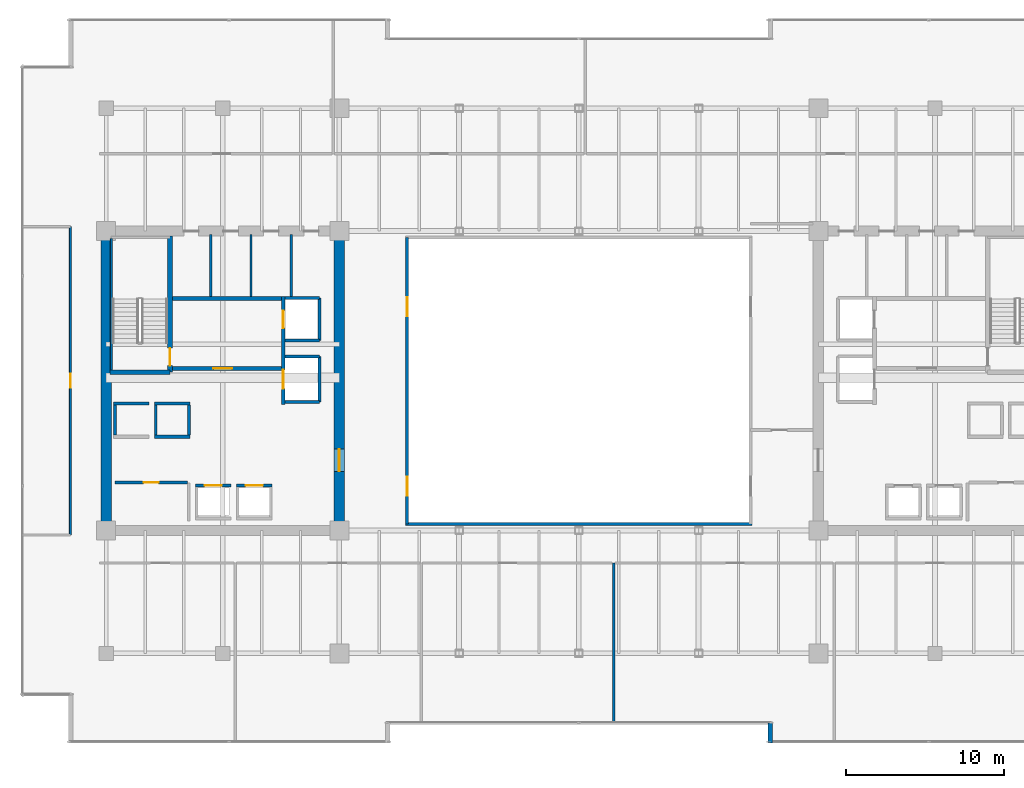
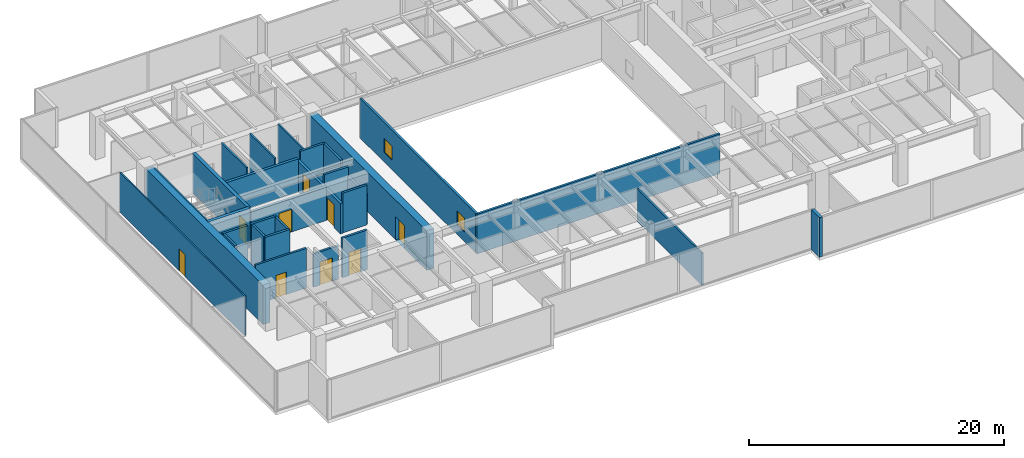
# One storey, part 25 of 30: 31 walls, 9 doors, 2 windows, 11 openings.
"""IFC4 building model written with IfcOpenShell, lengths in metres."""

from ifc_helpers import new_model, si_unit, direction, frame, frame_2d, origin, place, context, subcontext, project, spatial, rectangle, extrude, source, transform, mapped, material, layer, layer_set, type_object, type_shapes, element, fill, save


model = new_model("IFC4")

# Units and contexts
model_context = context("Model", 3, precision=1e-05, world=origin(), true_north=direction((0.0, 1.0)))
body_context = subcontext(model_context, "Body", "Model", "MODEL_VIEW")
ifc_project = project(units=[si_unit("LENGTHUNIT", "METRE"), si_unit("AREAUNIT", "SQUARE_METRE"), si_unit("VOLUMEUNIT", "CUBIC_METRE"), si_unit("PLANEANGLEUNIT", "RADIAN"), si_unit("MASSUNIT", "GRAM", prefix="KILO")], contexts=[model_context])

# Site, building, storey
site_placement = place(None, origin())
site = spatial("IfcSite", under=ifc_project, at=site_placement, CompositionType="ELEMENT")
building_placement = place(site_placement, origin())
building = spatial("IfcBuilding", under=site, at=building_placement, Name="Haelvirn Gate Laboratories", CompositionType="ELEMENT")
storey_placement = place(building_placement, frame((0.0, 0.0, 187.10009765625)))
storey = spatial("IfcBuildingStorey", under=building, at=storey_placement, Name="L45", CompositionType="ELEMENT", Elevation=187.10009765625)

# Walls
ifc_material_1 = material(Name="Thermally-broken bronze aluminium rainscreen & mineral wool", Category="aluminium")
ifc_layer_1 = layer(ifc_material_1, 0.280029296875, Name="EW-TERR-280")
ifc_layer_set_1 = layer_set([ifc_layer_1], Name="Thermally-broken bronze aluminium rainscreen & mineral wool")
wall_type_1 = type_object("IfcWallType", Name="EW-TERR-280", PredefinedType="STANDARD", material=ifc_layer_set_1)
wall_1_placement = place(storey_placement, frame((49.5400390625, 2.587890625, 0.0), z_axis=(0.0, 0.0, 1.0), x_axis=(0.0, -1.0, 0.0)))
element("IfcWall", 1, at=wall_1_placement, inside=storey, type_object=wall_type_1, Name="L45 Atrium Recess Bronze Return Wall 03", PredefinedType="STANDARD", context=body_context, shape_type="SweptSolid", body=[
    extrude(rectangle(XDim=1.287841796875, YDim=0.280029296875, at=frame_2d((0.64404296875, 0.0))), origin(), (0.0, 0.0, 1.0), 3.789794921875),
])
ifc_material_2 = material(Name="Double-layer acoustic gypsum laboratory partition", Category="gypsum")
ifc_layer_2 = layer(ifc_material_2, 0.159912109375, Name="IW-ACOUST-160")
ifc_layer_set_2 = layer_set([ifc_layer_2], Name="Double-layer acoustic gypsum laboratory partition")
wall_type_2 = type_object("IfcWallType", Name="IW-ACOUST-160", PredefinedType="PARTITIONING", material=ifc_layer_set_2)
wall_2_placement = place(storey_placement, frame((39.60009765625, 2.610107421875, 0.0), z_axis=(0.0, 0.0, 1.0), x_axis=(0.0, 1.0, 0.0)))
element("IfcWall", 2, at=wall_2_placement, inside=storey, type_object=wall_type_2, Name="L45 Interior Wall IW-L45-SDIV-03", PredefinedType="PARTITIONING", context=body_context, shape_type="SweptSolid", body=[
    extrude(rectangle(XDim=10.1298828125, YDim=0.159912109375, at=frame_2d((5.06494140625, 0.0))), origin(), (0.0, 0.0, 1.0), 3.074951171875),
])

# Wall, openings, windows
ifc_material_3 = material(Name="Tempered fire-rated borosilicate glass & anodised aluminium", Category="aluminium")
ifc_layer_3 = layer(ifc_material_3, 0.195068359375, Name="IW-GLAZ-200")
ifc_layer_set_3 = layer_set([ifc_layer_3], Name="Tempered fire-rated borosilicate glass & anodised aluminium")
wall_type_3 = type_object("IfcWallType", Name="IW-GLAZ-200", PredefinedType="SOLIDWALL", material=ifc_layer_set_3)
wall_3_placement = place(storey_placement, frame((26.5, 15.199951171875, 0.0), z_axis=(0.0, 0.0, 1.0), x_axis=(0.0, 1.0, 0.0)))
wall_3 = element("IfcWall", 3, at=wall_3_placement, inside=storey, type_object=wall_type_3, Name="L45 Interior Wall IW-L45-ATRIUM-W", PredefinedType="SOLIDWALL", context=body_context, shape_type="SweptSolid", body=[
    extrude(rectangle(XDim=18.199951171875, YDim=0.195068359375, at=frame_2d((9.10009765625, 0.0))), origin(), (0.0, 0.0, 1.0), 3.789794921875),
])
opening_1_placement = place(wall_3_placement, frame((1.800048828125, 0.0, 0.89990234375)))
opening_1 = element("IfcOpeningElement", 4, at=opening_1_placement, cuts=wall_3, Name="Opening W6", PredefinedType="OPENING", context=body_context, shape_type="SweptSolid", body=[
    extrude(rectangle(XDim=1.199951171875, YDim=1.35009765625, at=frame_2d((0.60009765625, 0.675048828125))), frame((0.0, 0.107421875, 0.0), z_axis=(0.0, -1.0, 0.0), x_axis=(1.0, 0.0, 0.0)), (0.0, 0.0, 1.0), 0.215087890625),
])
opening_2_placement = place(wall_3_placement, frame((13.199951171875, 0.0, 0.89990234375)))
opening_2 = element("IfcOpeningElement", 5, at=opening_2_placement, cuts=wall_3, Name="Opening W6", PredefinedType="OPENING", context=body_context, shape_type="SweptSolid", body=[
    extrude(rectangle(XDim=1.199951171875, YDim=1.35009765625, at=frame_2d((0.60009765625, 0.675048828125))), frame((0.0, 0.107421875, 0.0), z_axis=(0.0, -1.0, 0.0), x_axis=(1.0, 0.0, 0.0)), (0.0, 0.0, 1.0), 0.215087890625),
])
ifc_material_4 = material(Name="Fire-rated EI 120 borosilicate atrium vision glazing", Category="glass")
window_type = type_object("IfcWindowType", Name="WN-ATR-1200", PartitioningType="SINGLE_PANEL", PredefinedType="WINDOW", material=ifc_material_4)
shared_shape_1 = source(origin(), body_context, "Body", "SweptSolid", [
    extrude(rectangle(XDim=1.199951171875, YDim=1.35009765625, at=frame_2d((0.60009765625, 0.675048828125))), frame((0.0, 0.030029296875, 0.0), z_axis=(0.0, -1.0, 0.0), x_axis=(1.0, 0.0, 0.0)), (0.0, 0.0, 1.0), 0.06005859375),
])
type_shapes(window_type, [shared_shape_1])
window_1_placement = place(opening_1_placement, origin())
window_1 = element("IfcWindow", 6, at=window_1_placement, inside=storey, type_object=window_type, Name="L45 Atrium Observation Window 1", OverallHeight=1.35009765625, OverallWidth=1.199951171875, PartitioningType="SINGLE_PANEL", PredefinedType="WINDOW", context=body_context, shape_type="MappedRepresentation", body=[
    mapped(shared_shape_1, transform((0.0, 0.0, 0.0), scale=1.0)),
])
fill(opening_1, window_1)
window_2_placement = place(opening_2_placement, origin())
window_2 = element("IfcWindow", 7, at=window_2_placement, inside=storey, type_object=window_type, Name="L45 Atrium Observation Window 2", OverallHeight=1.35009765625, OverallWidth=1.199951171875, PartitioningType="SINGLE_PANEL", PredefinedType="WINDOW", context=body_context, shape_type="MappedRepresentation", body=[
    mapped(shared_shape_1, transform((0.0, 0.0, 0.0), scale=1.0)),
])
fill(opening_2, window_2)

# Wall
wall_4_placement = place(storey_placement, frame((26.39990234375, 15.199951171875, 0.0), z_axis=(0.0, 0.0, 1.0), x_axis=(1.0, 0.0, 0.0)))
element("IfcWall", 8, at=wall_4_placement, inside=storey, type_object=wall_type_3, Name="L45 Interior Wall IW-L45-ATRIUM-S", PredefinedType="SOLIDWALL", context=body_context, shape_type="SweptSolid", body=[
    extrude(rectangle(XDim=22.0, YDim=0.195068359375, at=frame_2d((11.0, 0.0))), origin(), (0.0, 0.0, 1.0), 3.789794921875),
])

# Wall, opening, door
ifc_material_5 = material(Name="Lightweight acoustic gypsum board partition", Category="gypsum")
ifc_layer_4 = layer(ifc_material_5, 0.1201171875, Name="IW-PART-120")
ifc_layer_set_4 = layer_set([ifc_layer_4], Name="Lightweight acoustic gypsum board partition")
wall_type_4 = type_object("IfcWallType", Name="IW-PART-120", PredefinedType="PARTITIONING", material=ifc_layer_set_4)
wall_5_placement = place(storey_placement, frame((5.1298828125, 14.514892578125, 0.0), z_axis=(0.0, 0.0, 1.0), x_axis=(0.0, 1.0, 0.0)))
wall_5 = element("IfcWall", 9, at=wall_5_placement, inside=storey, type_object=wall_type_4, Name="L45 Interior Wall IW-L45-WPASS-01", PredefinedType="PARTITIONING", context=body_context, shape_type="SweptSolid", body=[
    extrude(rectangle(XDim=19.570068359375, YDim=0.1201171875, at=frame_2d((9.78515625, 0.0))), origin(), (0.0, 0.0, 1.0), 3.789794921875),
])
opening_3_placement = place(wall_5_placement, frame((9.3349609375, 0.0, 0.0)))
opening_3 = element("IfcOpeningElement", 10, at=opening_3_placement, cuts=wall_5, Name="Opening D4", PredefinedType="OPENING", context=body_context, shape_type="SweptSolid", body=[
    extrude(rectangle(XDim=0.89990234375, YDim=2.10009765625, at=frame_2d((0.449951171875, 1.050048828125))), frame((0.0, 0.070068359375, 0.0), z_axis=(0.0, -1.0, 0.0), x_axis=(1.0, 0.0, 0.0)), (0.0, 0.0, 1.0), 0.14013671875),
])
ifc_material_6 = material(Name="Glazed aluminium-framed write-up door", Category="aluminium")
door_type_1 = type_object("IfcDoorType", Name="DR-OFF-900", OperationType="NOTDEFINED", PredefinedType="DOOR", material=ifc_material_6)
shared_shape_2 = source(origin(), body_context, "Body", "SweptSolid", [
    extrude(rectangle(XDim=0.89990234375, YDim=2.10009765625, at=frame_2d((0.449951171875, 1.050048828125))), frame((0.0, 0.02490234375, 0.0), z_axis=(0.0, -1.0, 0.0), x_axis=(1.0, 0.0, 0.0)), (0.0, 0.0, 1.0), 0.050048828125),
])
type_shapes(door_type_1, [shared_shape_2])
door_1_placement = place(opening_3_placement, origin())
door_1 = element("IfcDoor", 11, at=door_1_placement, inside=storey, type_object=door_type_1, Name="L45 Protocol Briefing Training Room Door W1", OperationType="SINGLE_SWING_LEFT", OverallHeight=2.10009765625, OverallWidth=0.89990234375, PredefinedType="DOOR", context=body_context, shape_type="MappedRepresentation", body=[
    mapped(shared_shape_2, transform((0.0, 0.0, 0.0), scale=1.0)),
])
fill(opening_3, door_1)

# Walls
ifc_material_7 = material(Name="Cement-board restroom plumbing chase wall", Category="gypsum")
ifc_layer_5 = layer(ifc_material_7, 0.155029296875, Name="IW-PLUMB-160")
ifc_layer_set_5 = layer_set([ifc_layer_5], Name="Cement-board restroom plumbing chase wall")
wall_type_5 = type_object("IfcWallType", Name="IW-PLUMB-160", PredefinedType="PLUMBINGWALL", material=ifc_layer_set_5)
for number, where, z_axis, x_axis, name in (
    (12, (14.0400390625, 29.64990234375, 0.0), (0.0, 0.0, 1.0), (0.0, 1.0, 0.0), "L45 Interior Wall IW-L45-W-CDIV-1"),
    (13, (16.590087890625, 29.64990234375, 0.0), (0.0, 0.0, 1.0), (0.0, 1.0, 0.0), "L45 Interior Wall IW-L45-W-CDIV-2"),
    (14, (19.139892578125, 29.64990234375, 0.0), (0.0, 0.0, 1.0), (0.0, 1.0, 0.0), "L45 Interior Wall IW-L45-W-CDIV-3"),
):
    element("IfcWall", number, at=place(storey_placement, frame(where, z_axis=z_axis, x_axis=x_axis)), inside=storey, type_object=wall_type_5, Name=name, PredefinedType="PLUMBINGWALL", context=body_context, shape_type="SweptSolid", body=[
        extrude(rectangle(XDim=3.93017578125, YDim=0.155029296875, at=frame_2d((1.965087890625, 0.0))), origin(), (0.0, 0.0, 1.0), 3.789794921875),
    ])
ifc_material_8 = material(Name="Concrete C40/50", Category="concrete")
ifc_layer_6 = layer(ifc_material_8, 0.179931640625, Name="IW-SHAFT-180")
ifc_layer_set_6 = layer_set([ifc_layer_6], Name="Concrete C40/50")
wall_type_6 = type_object("IfcWallType", Name="IW-SHAFT-180", PredefinedType="SOLIDWALL", material=ifc_layer_set_6)
for number, where, z_axis, x_axis, name in (
    (15, (7.949951171875, 20.85009765625, 0.0), (0.0, 0.0, 1.0), (0.0, 1.0, 0.0), "L45 Interior Wall IW-L45-PL9-SD"),
    (16, (10.550048828125, 20.85009765625, 0.0), (0.0, 0.0, 1.0), (0.0, 1.0, 0.0), "L45 Interior Wall IW-L45-PL10-SD"),
    (17, (12.64990234375, 20.85009765625, 0.0), (0.0, 0.0, 1.0), (0.0, 1.0, 0.0), "L45 Interior Wall IW-L45-PL10-SDE"),
):
    element("IfcWall", number, at=place(storey_placement, frame(where, z_axis=z_axis, x_axis=x_axis)), inside=storey, type_object=wall_type_6, Name=name, PredefinedType="SOLIDWALL", context=body_context, shape_type="SweptSolid", body=[
        extrude(rectangle(XDim=1.89990234375, YDim=0.179931640625, at=frame_2d((0.949951171875, 0.0))), origin(), (0.0, 0.0, 1.0), 3.789794921875),
    ])

# Wall, opening, door
wall_6_placement = place(storey_placement, frame((7.949951171875, 17.85009765625, 0.0), z_axis=(0.0, 0.0, 1.0), x_axis=(1.0, 0.0, 0.0)))
wall_6 = element("IfcWall", 18, at=wall_6_placement, inside=storey, type_object=wall_type_6, Name="L45 Interior Wall IW-L45-W-FREED-LN-1", PredefinedType="SOLIDWALL", context=body_context, shape_type="SweptSolid", body=[
    extrude(rectangle(XDim=4.60009765625, YDim=0.179931640625, at=frame_2d((2.300048828125, 0.0))), origin(), (0.0, 0.0, 1.0), 3.789794921875),
])
opening_4_placement = place(wall_6_placement, frame((1.824951171875, 0.0, 0.0)))
opening_4 = element("IfcOpeningElement", 19, at=opening_4_placement, cuts=wall_6, Name="Opening FD4", PredefinedType="OPENING", context=body_context, shape_type="SweptSolid", body=[
    extrude(rectangle(XDim=0.949951171875, YDim=2.14990234375, at=frame_2d((0.47509765625, 1.074951171875))), frame((0.0, 0.10009765625, 0.0), z_axis=(0.0, -1.0, 0.0), x_axis=(1.0, 0.0, 0.0)), (0.0, 0.0, 1.0), 0.199951171875),
])
ifc_material_9 = material(Name="Fire-rated steel SM355 core service door", Category="steel")
door_type_2 = type_object("IfcDoorType", Name="DR-FD-950", OperationType="NOTDEFINED", PredefinedType="DOOR", material=ifc_material_9)
shared_shape_3 = source(origin(), body_context, "Body", "SweptSolid", [
    extrude(rectangle(XDim=0.949951171875, YDim=2.14990234375, at=frame_2d((0.47509765625, 1.074951171875))), frame((0.0, 0.02490234375, 0.0), z_axis=(0.0, -1.0, 0.0), x_axis=(1.0, 0.0, 0.0)), (0.0, 0.0, 1.0), 0.050048828125),
])
type_shapes(door_type_2, [shared_shape_3])
door_2_placement = place(opening_4_placement, origin())
door_2 = element("IfcDoor", 20, at=door_2_placement, inside=storey, type_object=door_type_2, Name="L45 Autoclave & Glasswash Room Door", OperationType="SINGLE_SWING_LEFT", OverallHeight=2.14990234375, OverallWidth=0.949951171875, PredefinedType="DOOR", context=body_context, shape_type="MappedRepresentation", body=[
    mapped(shared_shape_3, transform((0.0, 0.0, 0.0), scale=1.0)),
])
fill(opening_4, door_2)

ifc_layer_7 = layer(ifc_material_8, 0.199951171875, Name="IW-SHAFT-200")
ifc_layer_set_7 = layer_set([ifc_layer_7], Name="Concrete C40/50")
wall_type_7 = type_object("IfcWallType", Name="IW-SHAFT-200", PredefinedType="SOLIDWALL", material=ifc_layer_set_7)
wall_7_placement = place(storey_placement, frame((13.070068359375, 17.64990234375, 0.0), z_axis=(0.0, 0.0, 1.0), x_axis=(1.0, 0.0, 0.0)))
wall_7 = element("IfcWall", 21, at=wall_7_placement, inside=storey, type_object=wall_type_7, Name="L45 Interior Wall IW-L45-PL5-FR", PredefinedType="SOLIDWALL", context=body_context, shape_type="SweptSolid", body=[
    extrude(rectangle(XDim=2.260009765625, YDim=0.199951171875, at=frame_2d((1.1298828125, 0.0))), origin(), (0.0, 0.0, 1.0), 3.18701171875),
])
opening_5_placement = place(wall_7_placement, frame((0.580078125, 0.0, 0.0)))
opening_5 = element("IfcOpeningElement", 22, at=opening_5_placement, cuts=wall_7, Name="Opening LD2", PredefinedType="OPENING", context=body_context, shape_type="SweptSolid", body=[
    extrude(rectangle(XDim=1.10009765625, YDim=2.219970703125, at=frame_2d((0.550048828125, 1.10986328125))), frame((0.0, 0.10986328125, 0.0), z_axis=(0.0, -1.0, 0.0), x_axis=(1.0, 0.0, 0.0)), (0.0, 0.0, 1.0), 0.219970703125),
])
ifc_material_10 = material(Name="Bronze stainless 316L sliding lift landing door")
door_type_3 = type_object("IfcDoorType", Name="DR-LD-1100", OperationType="NOTDEFINED", PredefinedType="USERDEFINED", material=ifc_material_10)
shared_shape_4 = source(origin(), body_context, "Body", "SweptSolid", [
    extrude(rectangle(XDim=1.10009765625, YDim=2.219970703125, at=frame_2d((0.550048828125, 1.10986328125))), frame((0.0, 0.02490234375, 0.0), z_axis=(0.0, -1.0, 0.0), x_axis=(1.0, 0.0, 0.0)), (0.0, 0.0, 1.0), 0.050048828125),
])
type_shapes(door_type_3, [shared_shape_4])
door_3_placement = place(opening_5_placement, origin())
door_3 = element("IfcDoor", 23, at=door_3_placement, inside=storey, type_object=door_type_3, Name="L45 Passenger Lift PL5 Landing Door", ObjectType="LANDING_DOOR", OperationType="SLIDING_TO_LEFT", OverallHeight=2.219970703125, OverallWidth=1.10009765625, PredefinedType="USERDEFINED", context=body_context, shape_type="MappedRepresentation", body=[
    mapped(shared_shape_4, transform((0.0, 0.0, 0.0), scale=1.0)),
])
fill(opening_5, door_3)

wall_8_placement = place(storey_placement, frame((15.669921875, 17.64990234375, 0.0), z_axis=(0.0, 0.0, 1.0), x_axis=(1.0, 0.0, 0.0)))
wall_8 = element("IfcWall", 24, at=wall_8_placement, inside=storey, type_object=wall_type_7, Name="L45 Interior Wall IW-L45-PL6-FR", PredefinedType="SOLIDWALL", context=body_context, shape_type="SweptSolid", body=[
    extrude(rectangle(XDim=2.260009765625, YDim=0.199951171875, at=frame_2d((1.1298828125, 0.0))), origin(), (0.0, 0.0, 1.0), 3.789794921875),
])
opening_6_placement = place(wall_8_placement, frame((0.580078125, 0.0, 0.0)))
opening_6 = element("IfcOpeningElement", 25, at=opening_6_placement, cuts=wall_8, Name="Opening LD2", PredefinedType="OPENING", context=body_context, shape_type="SweptSolid", body=[
    extrude(rectangle(XDim=1.10009765625, YDim=2.219970703125, at=frame_2d((0.550048828125, 1.10986328125))), frame((0.0, 0.10986328125, 0.0), z_axis=(0.0, -1.0, 0.0), x_axis=(1.0, 0.0, 0.0)), (0.0, 0.0, 1.0), 0.219970703125),
])
door_4_placement = place(opening_6_placement, origin())
door_4 = element("IfcDoor", 26, at=door_4_placement, inside=storey, type_object=door_type_3, Name="L45 Passenger Lift PL6 Landing Door", ObjectType="LANDING_DOOR", OperationType="SLIDING_TO_RIGHT", OverallHeight=2.219970703125, OverallWidth=1.10009765625, PredefinedType="USERDEFINED", context=body_context, shape_type="MappedRepresentation", body=[
    mapped(shared_shape_4, transform((0.0, 0.0, 0.0), scale=1.0)),
])
fill(opening_6, door_4)

# Walls
wall_9_placement = place(storey_placement, frame((7.8701171875, 22.85009765625, 0.0), z_axis=(0.0, 0.0, 1.0), x_axis=(1.0, 0.0, 0.0)))
element("IfcWall", 27, at=wall_9_placement, inside=storey, type_object=wall_type_7, Name="L45 Interior Wall IW-L45-PL9-BK", PredefinedType="SOLIDWALL", context=body_context, shape_type="SweptSolid", body=[
    extrude(rectangle(XDim=2.259765625, YDim=0.199951171875, at=frame_2d((1.1298828125, 0.0))), origin(), (0.0, 0.0, 1.0), 3.789794921875),
])
for number, where, z_axis, x_axis, name in (
    (28, (10.469970703125, 20.75, 0.0), (0.0, 0.0, 1.0), (1.0, 0.0, 0.0), "L45 Interior Wall IW-L45-PL10-FR"),
    (29, (10.469970703125, 22.85009765625, 0.0), (0.0, 0.0, 1.0), (1.0, 0.0, 0.0), "L45 Interior Wall IW-L45-PL10-BK"),
):
    element("IfcWall", number, at=place(storey_placement, frame(where, z_axis=z_axis, x_axis=x_axis)), inside=storey, type_object=wall_type_7, Name=name, PredefinedType="SOLIDWALL", context=body_context, shape_type="SweptSolid", body=[
        extrude(rectangle(XDim=2.260009765625, YDim=0.199951171875, at=frame_2d((1.1298828125, 0.0))), origin(), (0.0, 0.0, 1.0), 3.789794921875),
    ])
wall_10_placement = place(storey_placement, frame((20.949951171875, 26.85009765625, 0.0), z_axis=(0.0, 0.0, 1.0), x_axis=(0.0, 1.0, 0.0)))
element("IfcWall", 30, at=wall_10_placement, inside=storey, type_object=wall_type_7, Name="L45 Interior Wall IW-L45-FL1-BK", PredefinedType="SOLIDWALL", context=body_context, shape_type="SweptSolid", body=[
    extrude(rectangle(XDim=2.699951171875, YDim=0.199951171875, at=frame_2d((1.35009765625, 0.0))), origin(), (0.0, 0.0, 1.0), 3.789794921875),
])
wall_11_placement = place(storey_placement, frame((18.760009765625, 29.550048828125, 0.0), z_axis=(0.0, 0.0, 1.0), x_axis=(1.0, 0.0, 0.0)))
element("IfcWall", 31, at=wall_11_placement, inside=storey, type_object=wall_type_7, Name="L45 Interior Wall IW-L45-FL1-N", PredefinedType="SOLIDWALL", context=body_context, shape_type="SweptSolid", body=[
    extrude(rectangle(XDim=2.18994140625, YDim=0.199951171875, at=frame_2d((1.094970703125, 0.0))), origin(), (0.0, 0.0, 1.0), 3.789794921875),
])
wall_12_placement = place(storey_placement, frame((18.760009765625, 26.85009765625, 0.0), z_axis=(0.0, 0.0, 1.0), x_axis=(1.0, 0.0, 0.0)))
element("IfcWall", 32, at=wall_12_placement, inside=storey, type_object=wall_type_7, Name="L45 Interior Wall IW-L45-FL1-S", PredefinedType="SOLIDWALL", context=body_context, shape_type="SweptSolid", body=[
    extrude(rectangle(XDim=2.18994140625, YDim=0.199951171875, at=frame_2d((1.094970703125, 0.0))), origin(), (0.0, 0.0, 1.0), 3.18701171875),
])
wall_13_placement = place(storey_placement, frame((20.949951171875, 22.949951171875, 0.0), z_axis=(0.0, 0.0, 1.0), x_axis=(0.0, 1.0, 0.0)))
element("IfcWall", 33, at=wall_13_placement, inside=storey, type_object=wall_type_7, Name="L45 Interior Wall IW-L45-SL1-BK", PredefinedType="SOLIDWALL", context=body_context, shape_type="SweptSolid", body=[
    extrude(rectangle(XDim=2.900146484375, YDim=0.199951171875, at=frame_2d((1.4501953125, 0.0))), origin(), (0.0, 0.0, 1.0), 2.9248046875),
])
for number, where, z_axis, x_axis, name in (
    (34, (18.760009765625, 25.85009765625, 0.0), (0.0, 0.0, 1.0), (1.0, 0.0, 0.0), "L45 Interior Wall IW-L45-SL1-N"),
    (35, (18.760009765625, 22.949951171875, 0.0), (0.0, 0.0, 1.0), (1.0, 0.0, 0.0), "L45 Interior Wall IW-L45-SL1-S"),
):
    element("IfcWall", number, at=place(storey_placement, frame(where, z_axis=z_axis, x_axis=x_axis)), inside=storey, type_object=wall_type_7, Name=name, PredefinedType="SOLIDWALL", context=body_context, shape_type="SweptSolid", body=[
        extrude(rectangle(XDim=2.18994140625, YDim=0.199951171875, at=frame_2d((1.094970703125, 0.0))), origin(), (0.0, 0.0, 1.0), 3.789794921875),
    ])

# Wall, opening, door
ifc_layer_8 = layer(ifc_material_8, 0.239990234375, Name="IW-SHAFT-240")
ifc_layer_set_8 = layer_set([ifc_layer_8], Name="Concrete C40/50")
wall_type_8 = type_object("IfcWallType", Name="IW-SHAFT-240", PredefinedType="SOLIDWALL", material=ifc_layer_set_8)
wall_14_placement = place(storey_placement, frame((11.60009765625, 25.080078125, 0.0), z_axis=(0.0, 0.0, 1.0), x_axis=(1.0, 0.0, 0.0)))
wall_14 = element("IfcWall", 36, at=wall_14_placement, inside=storey, type_object=wall_type_8, Name="L45 Interior Wall IW-L45-W-FF-S", PredefinedType="SOLIDWALL", context=body_context, shape_type="SweptSolid", body=[
    extrude(rectangle(XDim=6.919921875, YDim=0.239990234375, at=frame_2d((3.4599609375, 0.0))), origin(), (0.0, 0.0, 1.0), 3.18701171875),
])
opening_7_placement = place(wall_14_placement, frame((2.60009765625, 0.0, 0.0)))
opening_7 = element("IfcOpeningElement", 37, at=opening_7_placement, cuts=wall_14, Name="Opening FD2", PredefinedType="OPENING", context=body_context, shape_type="SweptSolid", body=[
    extrude(rectangle(XDim=1.199951171875, YDim=2.159912109375, at=frame_2d((0.60009765625, 1.080078125))), frame((0.0, 0.1298828125, 0.0), z_axis=(0.0, -1.0, 0.0), x_axis=(1.0, 0.0, 0.0)), (0.0, 0.0, 1.0), 0.260009765625),
])
ifc_material_11 = material(Name="Fire-rated steel SM355 compartment door", Category="steel")
door_type_4 = type_object("IfcDoorType", Name="DR-FD-1200", OperationType="NOTDEFINED", PredefinedType="DOOR", material=ifc_material_11)
shared_shape_5 = source(origin(), body_context, "Body", "SweptSolid", [
    extrude(rectangle(XDim=1.199951171875, YDim=2.159912109375, at=frame_2d((0.60009765625, 1.080078125))), frame((0.0, 0.02490234375, 0.0), z_axis=(0.0, -1.0, 0.0), x_axis=(1.0, 0.0, 0.0)), (0.0, 0.0, 1.0), 0.050048828125),
])
type_shapes(door_type_4, [shared_shape_5])
door_5_placement = place(opening_7_placement, origin())
door_5 = element("IfcDoor", 38, at=door_5_placement, inside=storey, type_object=door_type_4, Name="L45 West Firefighting Lobby Door", OperationType="SINGLE_SWING_RIGHT", OverallHeight=2.159912109375, OverallWidth=1.199951171875, PredefinedType="DOOR", context=body_context, shape_type="MappedRepresentation", body=[
    mapped(shared_shape_5, transform((0.0, 0.0, 0.0), scale=1.0)),
])
fill(opening_7, door_5)

# Wall
wall_15_placement = place(storey_placement, frame((11.60009765625, 29.52001953125, 0.0), z_axis=(0.0, 0.0, 1.0), x_axis=(1.0, 0.0, 0.0)))
element("IfcWall", 39, at=wall_15_placement, inside=storey, type_object=wall_type_8, Name="L45 Interior Wall IW-L45-W-FF-N", PredefinedType="SOLIDWALL", context=body_context, shape_type="SweptSolid", body=[
    extrude(rectangle(XDim=6.919921875, YDim=0.239990234375, at=frame_2d((3.4599609375, 0.0))), origin(), (0.0, 0.0, 1.0), 3.18701171875),
])

# Wall, openings, doors
wall_16_placement = place(storey_placement, frame((18.639892578125, 22.800048828125, 0.0), z_axis=(0.0, 0.0, 1.0), x_axis=(0.0, 1.0, 0.0)))
wall_16 = element("IfcWall", 40, at=wall_16_placement, inside=storey, type_object=wall_type_8, Name="L45 Interior Wall IW-L45-W-FF-E", PredefinedType="SOLIDWALL", context=body_context, shape_type="SweptSolid", body=[
    extrude(rectangle(XDim=6.849853515625, YDim=0.239990234375, at=frame_2d((3.4248046875, 0.0))), origin(), (0.0, 0.0, 1.0), 2.9248046875),
])
opening_8_placement = place(wall_16_placement, frame((4.85009765625, 0.0, 0.0)))
opening_8 = element("IfcOpeningElement", 41, at=opening_8_placement, cuts=wall_16, Name="Opening LD2", PredefinedType="OPENING", context=body_context, shape_type="SweptSolid", body=[
    extrude(rectangle(XDim=1.10009765625, YDim=2.219970703125, at=frame_2d((0.550048828125, 1.10986328125))), frame((0.0, 0.1298828125, 0.0), z_axis=(0.0, -1.0, 0.0), x_axis=(1.0, 0.0, 0.0)), (0.0, 0.0, 1.0), 0.260009765625),
])
opening_9_placement = place(wall_16_placement, frame((1.0, 0.0, 0.0)))
opening_9 = element("IfcOpeningElement", 42, at=opening_9_placement, cuts=wall_16, Name="Opening LD1", PredefinedType="OPENING", context=body_context, shape_type="SweptSolid", body=[
    extrude(rectangle(XDim=1.199951171875, YDim=2.219970703125, at=frame_2d((0.60009765625, 1.10986328125))), frame((0.0, 0.1298828125, 0.0), z_axis=(0.0, -1.0, 0.0), x_axis=(1.0, 0.0, 0.0)), (0.0, 0.0, 1.0), 0.260009765625),
])
door_6_placement = place(opening_8_placement, origin())
door_6 = element("IfcDoor", 43, at=door_6_placement, inside=storey, type_object=door_type_3, Name="L45 Firefighting Lift FL1 Landing Door", ObjectType="LANDING_DOOR", OperationType="SLIDING_TO_LEFT", OverallHeight=2.219970703125, OverallWidth=1.10009765625, PredefinedType="USERDEFINED", context=body_context, shape_type="MappedRepresentation", body=[
    mapped(shared_shape_4, transform((0.0, 0.0, 0.0), scale=1.0)),
])
fill(opening_8, door_6)
ifc_material_12 = material(Name="Stainless steel 316L sliding goods landing door", Category="steel")
door_type_5 = type_object("IfcDoorType", Name="DR-LD-1200", OperationType="NOTDEFINED", PredefinedType="USERDEFINED", material=ifc_material_12)
shared_shape_6 = source(origin(), body_context, "Body", "SweptSolid", [
    extrude(rectangle(XDim=1.199951171875, YDim=2.219970703125, at=frame_2d((0.60009765625, 1.10986328125))), frame((0.0, 0.02490234375, 0.0), z_axis=(0.0, -1.0, 0.0), x_axis=(1.0, 0.0, 0.0)), (0.0, 0.0, 1.0), 0.050048828125),
])
type_shapes(door_type_5, [shared_shape_6])
door_7_placement = place(opening_9_placement, origin())
door_7 = element("IfcDoor", 44, at=door_7_placement, inside=storey, type_object=door_type_5, Name="L45 Service Lift SL1 Landing Door", ObjectType="LANDING_DOOR", OperationType="SLIDING_TO_RIGHT", OverallHeight=2.219970703125, OverallWidth=1.199951171875, PredefinedType="USERDEFINED", context=body_context, shape_type="MappedRepresentation", body=[
    mapped(shared_shape_6, transform((0.0, 0.0, 0.0), scale=1.0)),
])
fill(opening_9, door_7)

# Wall
ifc_material_13 = material(Name="Concrete C60/75", Category="concrete")
ifc_layer_9 = layer(ifc_material_13, 0.64990234375, Name="SW-CORE-650")
ifc_layer_set_9 = layer_set([ifc_layer_9], Name="Concrete C60/75")
wall_type_9 = type_object("IfcWallType", Name="SW-CORE-650", PredefinedType="SHEAR", material=ifc_layer_set_9)
wall_17_placement = place(storey_placement, frame((7.39990234375, 15.125, 0.0), z_axis=(0.0, 0.0, 1.0), x_axis=(0.0, 1.0, 0.0)))
element("IfcWall", 45, at=wall_17_placement, inside=storey, type_object=wall_type_9, Name="L45 W Core Shear Wall W", PredefinedType="SHEAR", context=body_context, shape_type="SweptSolid", body=[
    extrude(rectangle(XDim=18.35009765625, YDim=0.64990234375, at=frame_2d((9.175048828125, 0.0))), origin(), (0.0, 0.0, 1.0), 3.789794921875),
])

# Wall, opening, door
wall_18_placement = place(storey_placement, frame((22.199951171875, 15.125, 0.0), z_axis=(0.0, 0.0, 1.0), x_axis=(0.0, 1.0, 0.0)))
wall_18 = element("IfcWall", 46, at=wall_18_placement, inside=storey, type_object=wall_type_9, Name="L45 W Core Shear Wall E", PredefinedType="SHEAR", context=body_context, shape_type="SweptSolid", body=[
    extrude(rectangle(XDim=18.35009765625, YDim=0.64990234375, at=frame_2d((9.175048828125, 0.0))), origin(), (0.0, 0.0, 1.0), 3.789794921875),
])
opening_10_placement = place(wall_18_placement, frame((3.425048828125, 0.0, 0.0)))
opening_10 = element("IfcOpeningElement", 47, at=opening_10_placement, cuts=wall_18, Name="Opening FD1", PredefinedType="OPENING", context=body_context, shape_type="SweptSolid", body=[
    extrude(rectangle(XDim=1.419921875, YDim=2.199951171875, at=frame_2d((0.7099609375, 1.10009765625))), frame((0.0, 0.3349609375, 0.0), z_axis=(0.0, -1.0, 0.0), x_axis=(1.0, 0.0, 0.0)), (0.0, 0.0, 1.0), 0.669921875),
])
ifc_material_14 = material(Name="Fire-rated double steel SM355 lobby door", Category="steel")
door_type_6 = type_object("IfcDoorType", Name="DR-FD-1400", OperationType="NOTDEFINED", PredefinedType="DOOR", material=ifc_material_14)
shared_shape_7 = source(origin(), body_context, "Body", "SweptSolid", [
    extrude(rectangle(XDim=1.419921875, YDim=2.199951171875, at=frame_2d((0.7099609375, 1.10009765625))), frame((0.0, 0.02490234375, 0.0), z_axis=(0.0, -1.0, 0.0), x_axis=(1.0, 0.0, 0.0)), (0.0, 0.0, 1.0), 0.050048828125),
])
type_shapes(door_type_6, [shared_shape_7])
door_8_placement = place(opening_10_placement, origin())
door_8 = element("IfcDoor", 48, at=door_8_placement, inside=storey, type_object=door_type_6, Name="L45 West Core Lift Lobby Fire Door", OperationType="DOUBLE_DOOR_SINGLE_SWING", OverallHeight=2.199951171875, OverallWidth=1.419921875, PredefinedType="DOOR", context=body_context, shape_type="MappedRepresentation", body=[
    mapped(shared_shape_7, transform((0.0, 0.0, 0.0), scale=1.0)),
])
fill(opening_10, door_8)

# Wall
ifc_material_15 = material(Name="Concrete C50/60", Category="concrete")
ifc_layer_10 = layer(ifc_material_15, 0.1201171875, Name="SW-LINER-120")
ifc_layer_set_10 = layer_set([ifc_layer_10], Name="Concrete C50/60")
wall_type_10 = type_object("IfcWallType", Name="SW-LINER-120", PredefinedType="SOLIDWALL", material=ifc_layer_set_10)
wall_19_placement = place(storey_placement, frame((7.72998046875, 25.0, 0.0), z_axis=(0.0, 0.0, 1.0), x_axis=(0.0, 1.0, 0.0)))
element("IfcWall", 49, at=wall_19_placement, inside=storey, type_object=wall_type_10, Name="L45 W Core Stair Shaft Liner Wall OUT", PredefinedType="SOLIDWALL", context=body_context, shape_type="SweptSolid", body=[
    extrude(rectangle(XDim=8.320068359375, YDim=0.1201171875, at=frame_2d((4.16015625, 0.0))), origin(), (0.0, 0.0, 1.0), 3.789794921875),
])

# Wall, opening, door
ifc_layer_11 = layer(ifc_material_15, 0.300048828125, Name="SW-STAIR-300")
ifc_layer_set_11 = layer_set([ifc_layer_11], Name="Concrete C50/60")
wall_type_11 = type_object("IfcWallType", Name="SW-STAIR-300", PredefinedType="SHEAR", material=ifc_layer_set_11)
wall_20_placement = place(storey_placement, frame((11.449951171875, 24.85009765625, 0.0), z_axis=(0.0, 0.0, 1.0), x_axis=(0.0, 1.0, 0.0)))
wall_20 = element("IfcWall", 50, at=wall_20_placement, inside=storey, type_object=wall_type_11, Name="L45 W Core Stair Shaft Structural Wall IN", PredefinedType="SHEAR", context=body_context, shape_type="SweptSolid", body=[
    extrude(rectangle(XDim=8.6298828125, YDim=0.300048828125, at=frame_2d((4.31494140625, 0.0))), origin(), (0.0, 0.0, 1.0), 3.789794921875),
])
opening_11_placement = place(wall_20_placement, frame((0.419921875, 0.0, 0.0)))
opening_11 = element("IfcOpeningElement", 51, at=opening_11_placement, cuts=wall_20, Name="Opening FD3", PredefinedType="OPENING", context=body_context, shape_type="SweptSolid", body=[
    extrude(rectangle(XDim=1.10009765625, YDim=2.14990234375, at=frame_2d((0.550048828125, 1.074951171875))), frame((0.0, 0.16015625, 0.0), z_axis=(0.0, -1.0, 0.0), x_axis=(1.0, 0.0, 0.0)), (0.0, 0.0, 1.0), 0.320068359375),
])
ifc_material_16 = material(Name="Fire-rated steel SM355 escape stair door", Category="steel")
door_type_7 = type_object("IfcDoorType", Name="DR-FD-1100", OperationType="NOTDEFINED", PredefinedType="DOOR", material=ifc_material_16)
shared_shape_8 = source(origin(), body_context, "Body", "SweptSolid", [
    extrude(rectangle(XDim=1.10009765625, YDim=2.14990234375, at=frame_2d((0.550048828125, 1.074951171875))), frame((0.0, 0.02490234375, 0.0), z_axis=(0.0, -1.0, 0.0), x_axis=(1.0, 0.0, 0.0)), (0.0, 0.0, 1.0), 0.050048828125),
])
type_shapes(door_type_7, [shared_shape_8])
door_9_placement = place(opening_11_placement, origin())
door_9 = element("IfcDoor", 52, at=door_9_placement, inside=storey, type_object=door_type_7, Name="L45 Escape Stair ST1 Fire Door", OperationType="SINGLE_SWING_LEFT", OverallHeight=2.14990234375, OverallWidth=1.10009765625, PredefinedType="DOOR", context=body_context, shape_type="MappedRepresentation", body=[
    mapped(shared_shape_8, transform((0.0, 0.0, 0.0), scale=1.0)),
])
fill(opening_11, door_9)

# Wall
wall_21_placement = place(storey_placement, frame((7.64990234375, 24.85009765625, 0.0), z_axis=(0.0, 0.0, 1.0), x_axis=(1.0, 0.0, 0.0)))
element("IfcWall", 53, at=wall_21_placement, inside=storey, type_object=wall_type_11, Name="L45 W Core Stair Shaft Structural Wall S", PredefinedType="SHEAR", context=body_context, shape_type="SweptSolid", body=[
    extrude(rectangle(XDim=3.800048828125, YDim=0.300048828125, at=frame_2d((1.89990234375, 0.0))), origin(), (0.0, 0.0, 1.0), 3.789794921875),
])

save(model, "model.ifc")
